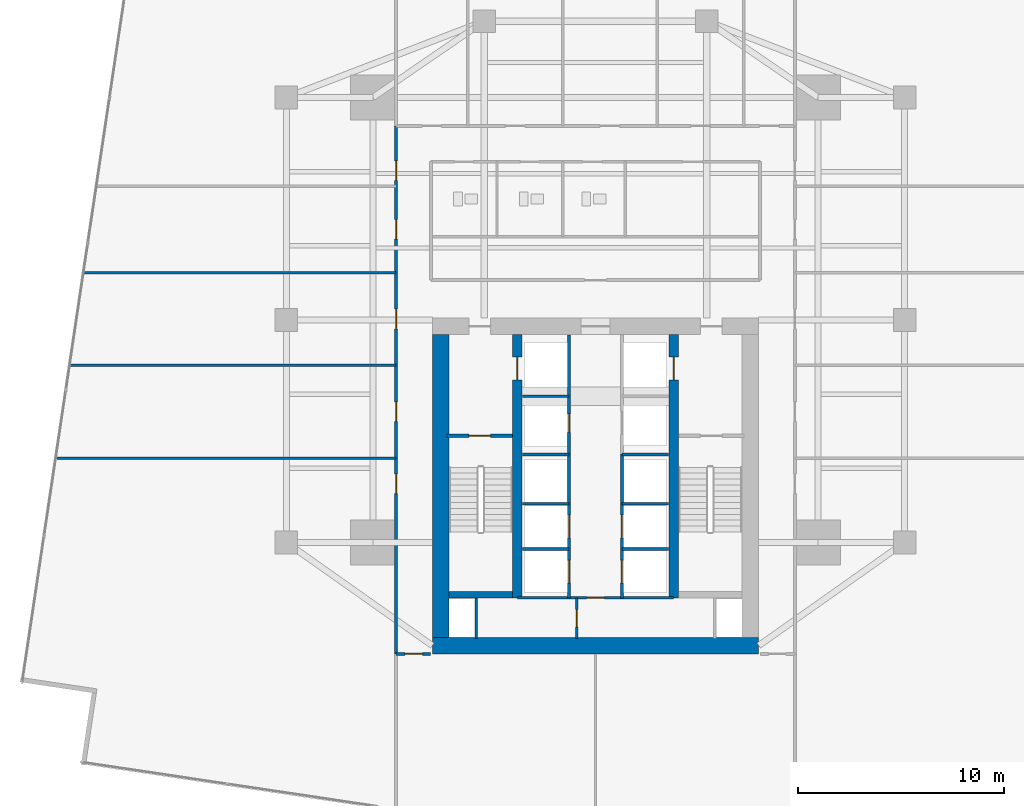
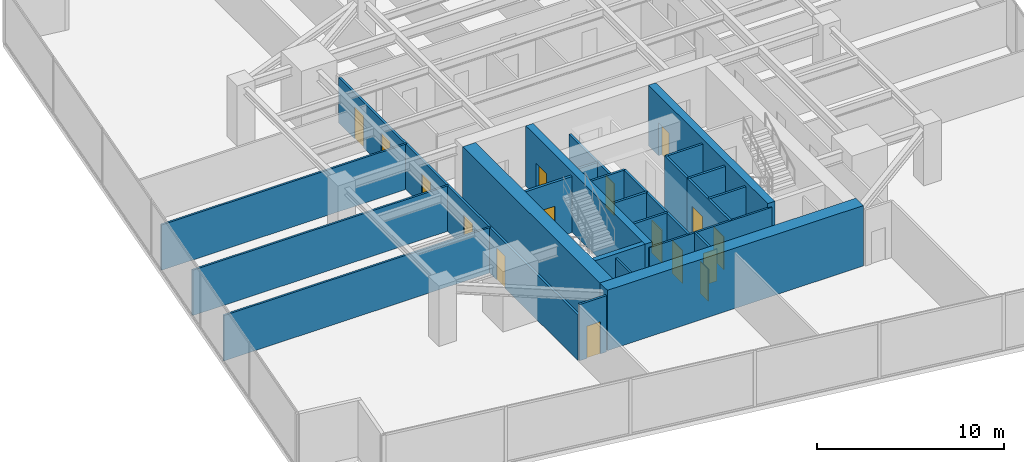
# One storey, part 25 of 29: 26 walls, 16 doors, 16 openings.
"""IFC4 building model written with IfcOpenShell, lengths in metres."""

from ifc_helpers import new_model, si_unit, direction, frame, frame_2d, origin, place, context, subcontext, project, spatial, rectangle, extrude, material, layer, layer_set, type_object, element, fill, save


model = new_model("IFC4")

# Units and contexts
model_context = context("Model", 3, precision=1e-05, world=origin(), true_north=direction((0.0, 1.0)))
body_context = subcontext(model_context, "Body", "Model", "MODEL_VIEW")
ifc_project = project(units=[si_unit("LENGTHUNIT", "METRE"), si_unit("AREAUNIT", "SQUARE_METRE"), si_unit("VOLUMEUNIT", "CUBIC_METRE"), si_unit("PLANEANGLEUNIT", "RADIAN"), si_unit("MASSUNIT", "GRAM", prefix="KILO")], contexts=[model_context])

# Site, building, storey
site_placement = place(None, origin())
site = spatial("IfcSite", under=ifc_project, at=site_placement, CompositionType="ELEMENT")
building_placement = place(site_placement, origin())
building = spatial("IfcBuilding", under=site, at=building_placement, Name="Krantzveldt Concourse Tower", CompositionType="ELEMENT")
storey_placement = place(building_placement, frame((0.0, 0.0, 68.449951171875)))
storey = spatial("IfcBuildingStorey", under=building, at=storey_placement, Name="L16", CompositionType="ELEMENT", Elevation=68.449951171875)

# Wall, opening, door
ifc_material_1 = material(Name="Fire-rated gypsum plasterboard on steel stud", Category="steel")
ifc_layer_1 = layer(ifc_material_1, 0.1201171875, Name="Fire-rated gypsum plasterboard on steel stud", Category="steel")
ifc_layer_set_1 = layer_set([ifc_layer_1], Name="Fire-rated gypsum plasterboard on steel stud (WL-PART-120)")
wall_type_1 = type_object("IfcWallType", Name="WL-PART-120", PredefinedType="PARTITIONING", material=ifc_layer_set_1)
wall_1_placement = place(storey_placement, frame((32.2099609375, 13.219970703125, 0.0), z_axis=(0.0, 0.0, 1.0), x_axis=(1.0, 0.0, 0.0)))
wall_1 = element("IfcWall", 1, at=wall_1_placement, inside=storey, type_object=wall_type_1, Name="WP-L16-CS2H", PredefinedType="PARTITIONING", context=body_context, shape_type="SweptSolid", body=[
    extrude(rectangle(XDim=7.580078125, YDim=0.1201171875, at=frame_2d((3.7900390625, 0.0))), origin(), (0.0, 0.0, 1.0), 3.670166015625),
])
opening_1_placement = place(wall_1_placement, frame((3.364990234375, 0.0, 0.0)))
opening_1 = element("IfcOpeningElement", 2, at=opening_1_placement, cuts=wall_1, Name="Opening D-IN085", PredefinedType="OPENING", context=body_context, shape_type="SweptSolid", body=[
    extrude(rectangle(XDim=0.85009765625, YDim=2.10009765625, at=frame_2d((0.425048828125, 1.050048828125))), frame((0.0, 0.070068359375, 0.0), z_axis=(0.0, -1.0, 0.0), x_axis=(1.0, 0.0, 0.0)), (0.0, 0.0, 1.0), 0.14013671875),
])
ifc_material_2 = material(Name="Hardwood timber", Category="wood")
door_type_1 = type_object("IfcDoorType", Name="DR-INT-850", OperationType="SINGLE_SWING_LEFT", PredefinedType="DOOR", material=ifc_material_2)
door_1_placement = place(opening_1_placement, origin())
door_1 = element("IfcDoor", 3, at=door_1_placement, inside=storey, type_object=door_type_1, Name="DR-L16-LLBS", OperationType="SINGLE_SWING_RIGHT", OverallHeight=2.10009765625, OverallWidth=0.85009765625, PredefinedType="DOOR", context=body_context, shape_type="SweptSolid", body=[
    extrude(rectangle(XDim=0.85009765625, YDim=2.10009765625, at=frame_2d((0.425048828125, 1.050048828125))), frame((0.0, 0.02490234375, 0.0), z_axis=(0.0, -1.0, 0.0), x_axis=(1.0, 0.0, 0.0)), (0.0, 0.0, 1.0), 0.050048828125),
])
fill(opening_1, door_1)

wall_2_placement = place(storey_placement, frame((35.080078125, 11.25, 0.0), z_axis=(0.0, 0.0, 1.0), x_axis=(0.0, 1.0, 0.0)))
wall_2 = element("IfcWall", 4, at=wall_2_placement, inside=storey, type_object=wall_type_1, Name="WP-L16-CSA-V", PredefinedType="PARTITIONING", context=body_context, shape_type="SweptSolid", body=[
    extrude(rectangle(XDim=1.969970703125, YDim=0.1201171875, at=frame_2d((0.98486328125, 0.0))), origin(), (0.0, 0.0, 1.0), 3.670166015625),
])
opening_2_placement = place(wall_2_placement, frame((0.544921875, 0.0, 0.0)))
opening_2 = element("IfcOpeningElement", 5, at=opening_2_placement, cuts=wall_2, Name="Opening D-IN085", PredefinedType="OPENING", context=body_context, shape_type="SweptSolid", body=[
    extrude(rectangle(XDim=0.85009765625, YDim=2.10009765625, at=frame_2d((0.425048828125, 1.050048828125))), frame((0.0, 0.070068359375, 0.0), z_axis=(0.0, -1.0, 0.0), x_axis=(1.0, 0.0, 0.0)), (0.0, 0.0, 1.0), 0.14013671875),
])
door_2_placement = place(opening_2_placement, origin())
door_2 = element("IfcDoor", 6, at=door_2_placement, inside=storey, type_object=door_type_1, Name="DR-L16-CSA1", OperationType="SINGLE_SWING_LEFT", OverallHeight=2.10009765625, OverallWidth=0.85009765625, PredefinedType="DOOR", context=body_context, shape_type="SweptSolid", body=[
    extrude(rectangle(XDim=0.85009765625, YDim=2.10009765625, at=frame_2d((0.425048828125, 1.050048828125))), frame((0.0, 0.02490234375, 0.0), z_axis=(0.0, -1.0, 0.0), x_axis=(1.0, 0.0, 0.0)), (0.0, 0.0, 1.0), 0.050048828125),
])
fill(opening_2, door_2)

# Walls
wall_3_placement = place(storey_placement, frame((9.81201171875, 20.0, 0.0), z_axis=(0.0, 0.0, 1.0), x_axis=(1.0, 0.0, 0.0)))
element("IfcWall", 7, at=wall_3_placement, inside=storey, type_object=wall_type_1, Name="WP-L16-WD1", PredefinedType="PARTITIONING", context=body_context, shape_type="SweptSolid", body=[
    extrude(rectangle(XDim=16.508056640625, YDim=0.1201171875, at=frame_2d((8.25390625, 0.0))), origin(), (0.0, 0.0, 1.0), 2.969970703125),
])
wall_4_placement = place(storey_placement, frame((10.484619140625, 24.5, 0.0), z_axis=(0.0, 0.0, 1.0), x_axis=(1.0, 0.0, 0.0)))
element("IfcWall", 8, at=wall_4_placement, inside=storey, type_object=wall_type_1, Name="WP-L16-WD2", PredefinedType="PARTITIONING", context=body_context, shape_type="SweptSolid", body=[
    extrude(rectangle(XDim=15.83544921875, YDim=0.1201171875, at=frame_2d((7.917724609375, 0.0))), origin(), (0.0, 0.0, 1.0), 2.969970703125),
])
wall_5_placement = place(storey_placement, frame((11.156982421875, 29.0, 0.0), z_axis=(0.0, 0.0, 1.0), x_axis=(1.0, 0.0, 0.0)))
element("IfcWall", 9, at=wall_5_placement, inside=storey, type_object=wall_type_1, Name="WP-L16-WD3", PredefinedType="PARTITIONING", context=body_context, shape_type="SweptSolid", body=[
    extrude(rectangle(XDim=15.1630859375, YDim=0.1201171875, at=frame_2d((7.58154296875, 0.0))), origin(), (0.0, 0.0, 1.0), 2.969970703125),
])

# Wall, openings, doors
ifc_layer_2 = layer(ifc_material_1, 0.139892578125, Name="Fire-rated gypsum plasterboard on steel stud", Category="steel")
ifc_layer_set_2 = layer_set([ifc_layer_2], Name="Fire-rated gypsum plasterboard on steel stud (WL-PART-140)")
wall_type_2 = type_object("IfcWallType", Name="WL-PART-140", PredefinedType="PARTITIONING", material=ifc_layer_set_2)
wall_6_placement = place(storey_placement, frame((26.320068359375, 10.5, 0.0), z_axis=(0.0, 0.0, 1.0), x_axis=(0.0, 1.0, 0.0)))
wall_6 = element("IfcWall", 10, at=wall_6_placement, inside=storey, type_object=wall_type_2, Name="WP-L16-CWEST", PredefinedType="PARTITIONING", context=body_context, shape_type="SweptSolid", body=[
    extrude(rectangle(XDim=25.6201171875, YDim=0.139892578125, at=frame_2d((12.81005859375, 0.0))), origin(), (0.0, 0.0, 1.0), 2.969970703125),
])
opening_3_placement = place(wall_6_placement, frame((7.77490234375, 0.0, 0.0)))
opening_3 = element("IfcOpeningElement", 11, at=opening_3_placement, cuts=wall_6, Name="Opening D-IN095", PredefinedType="OPENING", context=body_context, shape_type="SweptSolid", body=[
    extrude(rectangle(XDim=0.949951171875, YDim=2.10009765625, at=frame_2d((0.47509765625, 1.050048828125))), frame((0.0, 0.080078125, 0.0), z_axis=(0.0, -1.0, 0.0), x_axis=(1.0, 0.0, 0.0)), (0.0, 0.0, 1.0), 0.159912109375),
])
opening_4_placement = place(wall_6_placement, frame((11.27490234375, 0.0, 0.0)))
opening_4 = element("IfcOpeningElement", 12, at=opening_4_placement, cuts=wall_6, Name="Opening D-IN095", PredefinedType="OPENING", context=body_context, shape_type="SweptSolid", body=[
    extrude(rectangle(XDim=0.949951171875, YDim=2.10009765625, at=frame_2d((0.47509765625, 1.050048828125))), frame((0.0, 0.080078125, 0.0), z_axis=(0.0, -1.0, 0.0), x_axis=(1.0, 0.0, 0.0)), (0.0, 0.0, 1.0), 0.159912109375),
])
opening_5_placement = place(wall_6_placement, frame((15.77490234375, 0.0, 0.0)))
opening_5 = element("IfcOpeningElement", 13, at=opening_5_placement, cuts=wall_6, Name="Opening D-IN095", PredefinedType="OPENING", context=body_context, shape_type="SweptSolid", body=[
    extrude(rectangle(XDim=0.949951171875, YDim=2.10009765625, at=frame_2d((0.47509765625, 1.050048828125))), frame((0.0, 0.080078125, 0.0), z_axis=(0.0, -1.0, 0.0), x_axis=(1.0, 0.0, 0.0)), (0.0, 0.0, 1.0), 0.159912109375),
])
opening_6_placement = place(wall_6_placement, frame((20.125, 0.0, 0.0)))
opening_6 = element("IfcOpeningElement", 14, at=opening_6_placement, cuts=wall_6, Name="Opening D-IN095", PredefinedType="OPENING", context=body_context, shape_type="SweptSolid", body=[
    extrude(rectangle(XDim=0.949951171875, YDim=2.10009765625, at=frame_2d((0.47509765625, 1.050048828125))), frame((0.0, 0.080078125, 0.0), z_axis=(0.0, -1.0, 0.0), x_axis=(1.0, 0.0, 0.0)), (0.0, 0.0, 1.0), 0.159912109375),
])
opening_7_placement = place(wall_6_placement, frame((22.97509765625, 0.0, 0.0)))
opening_7 = element("IfcOpeningElement", 15, at=opening_7_placement, cuts=wall_6, Name="Opening D-IN095", PredefinedType="OPENING", context=body_context, shape_type="SweptSolid", body=[
    extrude(rectangle(XDim=0.949951171875, YDim=2.10009765625, at=frame_2d((0.47509765625, 1.050048828125))), frame((0.0, 0.080078125, 0.0), z_axis=(0.0, -1.0, 0.0), x_axis=(1.0, 0.0, 0.0)), (0.0, 0.0, 1.0), 0.159912109375),
])
door_type_2 = type_object("IfcDoorType", Name="DR-INT-950", OperationType="SINGLE_SWING_LEFT", PredefinedType="DOOR", material=ifc_material_2)
door_3_placement = place(opening_3_placement, origin())
door_3 = element("IfcDoor", 16, at=door_3_placement, inside=storey, type_object=door_type_2, Name="DR-L16-WR1", OperationType="SINGLE_SWING_LEFT", OverallHeight=2.10009765625, OverallWidth=0.949951171875, PredefinedType="DOOR", context=body_context, shape_type="SweptSolid", body=[
    extrude(rectangle(XDim=0.949951171875, YDim=2.10009765625, at=frame_2d((0.47509765625, 1.050048828125))), frame((0.0, 0.02490234375, 0.0), z_axis=(0.0, -1.0, 0.0), x_axis=(1.0, 0.0, 0.0)), (0.0, 0.0, 1.0), 0.050048828125),
])
fill(opening_3, door_3)
door_4_placement = place(opening_4_placement, origin())
door_4 = element("IfcDoor", 17, at=door_4_placement, inside=storey, type_object=door_type_2, Name="DR-L16-WR2", OperationType="SINGLE_SWING_LEFT", OverallHeight=2.10009765625, OverallWidth=0.949951171875, PredefinedType="DOOR", context=body_context, shape_type="SweptSolid", body=[
    extrude(rectangle(XDim=0.949951171875, YDim=2.10009765625, at=frame_2d((0.47509765625, 1.050048828125))), frame((0.0, 0.02490234375, 0.0), z_axis=(0.0, -1.0, 0.0), x_axis=(1.0, 0.0, 0.0)), (0.0, 0.0, 1.0), 0.050048828125),
])
fill(opening_4, door_4)
door_5_placement = place(opening_5_placement, origin())
door_5 = element("IfcDoor", 18, at=door_5_placement, inside=storey, type_object=door_type_2, Name="DR-L16-WR3", OperationType="SINGLE_SWING_LEFT", OverallHeight=2.10009765625, OverallWidth=0.949951171875, PredefinedType="DOOR", context=body_context, shape_type="SweptSolid", body=[
    extrude(rectangle(XDim=0.949951171875, YDim=2.10009765625, at=frame_2d((0.47509765625, 1.050048828125))), frame((0.0, 0.02490234375, 0.0), z_axis=(0.0, -1.0, 0.0), x_axis=(1.0, 0.0, 0.0)), (0.0, 0.0, 1.0), 0.050048828125),
])
fill(opening_5, door_5)
door_6_placement = place(opening_6_placement, origin())
door_6 = element("IfcDoor", 19, at=door_6_placement, inside=storey, type_object=door_type_2, Name="DR-L16-WR4", OperationType="SINGLE_SWING_LEFT", OverallHeight=2.10009765625, OverallWidth=0.949951171875, PredefinedType="DOOR", context=body_context, shape_type="SweptSolid", body=[
    extrude(rectangle(XDim=0.949951171875, YDim=2.10009765625, at=frame_2d((0.47509765625, 1.050048828125))), frame((0.0, 0.02490234375, 0.0), z_axis=(0.0, -1.0, 0.0), x_axis=(1.0, 0.0, 0.0)), (0.0, 0.0, 1.0), 0.050048828125),
])
fill(opening_6, door_6)
door_7_placement = place(opening_7_placement, origin())
door_7 = element("IfcDoor", 20, at=door_7_placement, inside=storey, type_object=door_type_2, Name="DR-L16-WR5", OperationType="SINGLE_SWING_LEFT", OverallHeight=2.10009765625, OverallWidth=0.949951171875, PredefinedType="DOOR", context=body_context, shape_type="SweptSolid", body=[
    extrude(rectangle(XDim=0.949951171875, YDim=2.10009765625, at=frame_2d((0.47509765625, 1.050048828125))), frame((0.0, 0.02490234375, 0.0), z_axis=(0.0, -1.0, 0.0), x_axis=(1.0, 0.0, 0.0)), (0.0, 0.0, 1.0), 0.050048828125),
])
fill(opening_7, door_7)

# Wall, opening, door
wall_7_placement = place(storey_placement, frame((26.320068359375, 10.5, 0.0), z_axis=(0.0, 0.0, 1.0), x_axis=(1.0, 0.0, 0.0)))
wall_7 = element("IfcWall", 21, at=wall_7_placement, inside=storey, type_object=wall_type_2, Name="WP-L16-CWBOT", PredefinedType="PARTITIONING", context=body_context, shape_type="SweptSolid", body=[
    extrude(rectangle(XDim=1.679931640625, YDim=0.139892578125, at=frame_2d((0.83984375, 0.0))), origin(), (0.0, 0.0, 1.0), 3.670166015625),
])
opening_8_placement = place(wall_7_placement, frame((0.445068359375, 0.0, 0.0)))
opening_8 = element("IfcOpeningElement", 22, at=opening_8_placement, cuts=wall_7, Name="Opening D-IN085", PredefinedType="OPENING", context=body_context, shape_type="SweptSolid", body=[
    extrude(rectangle(XDim=0.85009765625, YDim=2.10009765625, at=frame_2d((0.425048828125, 1.050048828125))), frame((0.0, 0.080078125, 0.0), z_axis=(0.0, -1.0, 0.0), x_axis=(1.0, 0.0, 0.0)), (0.0, 0.0, 1.0), 0.159912109375),
])
door_8_placement = place(opening_8_placement, origin())
door_8 = element("IfcDoor", 23, at=door_8_placement, inside=storey, type_object=door_type_1, Name="DR-L16-SR1", OperationType="SINGLE_SWING_LEFT", OverallHeight=2.10009765625, OverallWidth=0.85009765625, PredefinedType="DOOR", context=body_context, shape_type="SweptSolid", body=[
    extrude(rectangle(XDim=0.85009765625, YDim=2.10009765625, at=frame_2d((0.425048828125, 1.050048828125))), frame((0.0, 0.02490234375, 0.0), z_axis=(0.0, -1.0, 0.0), x_axis=(1.0, 0.0, 0.0)), (0.0, 0.0, 1.0), 0.050048828125),
])
fill(opening_8, door_8)

ifc_layer_3 = layer(ifc_material_1, 0.139892578125, Name="Fire-rated gypsum plasterboard on steel stud", Category="steel")
ifc_layer_set_3 = layer_set([ifc_layer_3], Name="Fire-rated gypsum plasterboard on steel stud (WL-PART-FR140)")
wall_type_3 = type_object("IfcWallType", Name="WL-PART-FR140", PredefinedType="PARTITIONING", material=ifc_layer_set_3)
wall_8_placement = place(storey_placement, frame((34.719970703125, 20.199951171875, 0.0), z_axis=(0.0, 0.0, 1.0), x_axis=(0.0, 1.0, 0.0)))
wall_8 = element("IfcWall", 24, at=wall_8_placement, inside=storey, type_object=wall_type_3, Name="WP-L16-SHNW", PredefinedType="PARTITIONING", context=body_context, shape_type="SweptSolid", body=[
    extrude(rectangle(XDim=5.780029296875, YDim=0.139892578125, at=frame_2d((2.89013671875, 0.0))), origin(), (0.0, 0.0, 1.0), 2.469970703125),
])
opening_9_placement = place(wall_8_placement, frame((1.050048828125, 0.0, 0.0)))
opening_9 = element("IfcOpeningElement", 25, at=opening_9_placement, cuts=wall_8, Name="Opening D-FD090", PredefinedType="OPENING", context=body_context, shape_type="SweptSolid", body=[
    extrude(rectangle(XDim=0.89990234375, YDim=2.10009765625, at=frame_2d((0.449951171875, 1.050048828125))), frame((0.0, 0.080078125, 0.0), z_axis=(0.0, -1.0, 0.0), x_axis=(1.0, 0.0, 0.0)), (0.0, 0.0, 1.0), 0.159912109375),
])
door_type_3 = type_object("IfcDoorType", Name="DR-FD60-900", OperationType="SINGLE_SWING_LEFT", PredefinedType="DOOR", material=ifc_material_2)
door_9_placement = place(opening_9_placement, origin())
door_9 = element("IfcDoor", 26, at=door_9_placement, inside=storey, type_object=door_type_3, Name="Electrical Riser Access Door L16", OperationType="SINGLE_SWING_LEFT", OverallHeight=2.10009765625, OverallWidth=0.89990234375, PredefinedType="DOOR", context=body_context, shape_type="SweptSolid", body=[
    extrude(rectangle(XDim=0.89990234375, YDim=2.10009765625, at=frame_2d((0.449951171875, 1.050048828125))), frame((0.0, 0.02490234375, 0.0), z_axis=(0.0, -1.0, 0.0), x_axis=(1.0, 0.0, 0.0)), (0.0, 0.0, 1.0), 0.050048828125),
])
fill(opening_9, door_9)

# Walls
wall_9_placement = place(storey_placement, frame((32.449951171875, 23.0, 0.0), z_axis=(0.0, 0.0, 1.0), x_axis=(1.0, 0.0, 0.0)))
element("IfcWall", 27, at=wall_9_placement, inside=storey, type_object=wall_type_3, Name="WP-L16-RISH", PredefinedType="PARTITIONING", context=body_context, shape_type="SweptSolid", body=[
    extrude(rectangle(XDim=2.27001953125, YDim=0.139892578125, at=frame_2d((1.135009765625, 0.0))), origin(), (0.0, 0.0, 1.0), 2.469970703125),
])
for number, where, z_axis, x_axis, name in (
    (28, (34.719970703125, 17.780029296875, 0.0), (0.0, 0.0, 1.0), (0.0, 1.0, 0.0), "WP-L16-SHNW2"),
    (29, (37.280029296875, 17.780029296875, 0.0), (0.0, 0.0, 1.0), (0.0, 1.0, 0.0), "WP-L16-SHNE2"),
):
    element("IfcWall", number, at=place(storey_placement, frame(where, z_axis=z_axis, x_axis=x_axis)), inside=storey, type_object=wall_type_3, Name=name, PredefinedType="PARTITIONING", context=body_context, shape_type="SweptSolid", body=[
        extrude(rectangle(XDim=2.419921875, YDim=0.139892578125, at=frame_2d((1.2099609375, 0.0))), origin(), (0.0, 0.0, 1.0), 3.670166015625),
    ])
for number, where, z_axis, x_axis, name in (
    (30, (32.449951171875, 17.780029296875, 0.0), (0.0, 0.0, 1.0), (1.0, 0.0, 0.0), "WP-L16-DIVW2"),
    (31, (32.449951171875, 20.179931640625, 0.0), (0.0, 0.0, 1.0), (1.0, 0.0, 0.0), "WP-L16-DIVW3"),
    (32, (37.280029296875, 17.780029296875, 0.0), (0.0, 0.0, 1.0), (1.0, 0.0, 0.0), "WP-L16-DIVE2"),
    (33, (37.280029296875, 20.179931640625, 0.0), (0.0, 0.0, 1.0), (1.0, 0.0, 0.0), "WP-L16-DIVE3"),
):
    element("IfcWall", number, at=place(storey_placement, frame(where, z_axis=z_axis, x_axis=x_axis)), inside=storey, type_object=wall_type_3, Name=name, PredefinedType="PARTITIONING", context=body_context, shape_type="SweptSolid", body=[
        extrude(rectangle(XDim=2.27001953125, YDim=0.139892578125, at=frame_2d((1.135009765625, 0.0))), origin(), (0.0, 0.0, 1.0), 3.670166015625),
    ])

# Wall, openings, doors
wall_10_placement = place(storey_placement, frame((34.719970703125, 13.219970703125, 0.0), z_axis=(0.0, 0.0, 1.0), x_axis=(0.0, 1.0, 0.0)))
wall_10 = element("IfcWall", 34, at=wall_10_placement, inside=storey, type_object=wall_type_3, Name="WP-L16-SHSW", PredefinedType="PARTITIONING", context=body_context, shape_type="SweptSolid", body=[
    extrude(rectangle(XDim=4.56005859375, YDim=0.139892578125, at=frame_2d((2.280029296875, 0.0))), origin(), (0.0, 0.0, 1.0), 3.670166015625),
])
opening_10_placement = place(wall_10_placement, frame((0.7099609375, 0.0, 0.0)))
opening_10 = element("IfcOpeningElement", 35, at=opening_10_placement, cuts=wall_10, Name="Opening LD", PredefinedType="OPENING", context=body_context, shape_type="SweptSolid", body=[
    extrude(rectangle(XDim=1.10009765625, YDim=2.14990234375, at=frame_2d((0.550048828125, 1.074951171875))), frame((0.0, 0.080078125, 0.0), z_axis=(0.0, -1.0, 0.0), x_axis=(1.0, 0.0, 0.0)), (0.0, 0.0, 1.0), 0.159912109375),
])
opening_11_placement = place(wall_10_placement, frame((2.909912109375, 0.0, 0.0)))
opening_11 = element("IfcOpeningElement", 36, at=opening_11_placement, cuts=wall_10, Name="Opening LD", PredefinedType="OPENING", context=body_context, shape_type="SweptSolid", body=[
    extrude(rectangle(XDim=1.10009765625, YDim=2.14990234375, at=frame_2d((0.550048828125, 1.074951171875))), frame((0.0, 0.080078125, 0.0), z_axis=(0.0, -1.0, 0.0), x_axis=(1.0, 0.0, 0.0)), (0.0, 0.0, 1.0), 0.159912109375),
])
ifc_material_3 = material(Name="Stainless steel 316L", Category="steel")
door_type_4 = type_object("IfcDoorType", Name="DR-SLIDE-LD1100", OperationType="DOUBLE_DOOR_SLIDING", PredefinedType="DOOR", material=ifc_material_3)
door_10_placement = place(opening_10_placement, origin())
door_10 = element("IfcDoor", 37, at=door_10_placement, inside=storey, type_object=door_type_4, Name="LD-L16-PL1", OperationType="DOUBLE_DOOR_SLIDING", OverallHeight=2.14990234375, OverallWidth=1.10009765625, PredefinedType="DOOR", context=body_context, shape_type="SweptSolid", body=[
    extrude(rectangle(XDim=1.10009765625, YDim=2.14990234375, at=frame_2d((0.550048828125, 1.074951171875))), frame((0.0, 0.02490234375, 0.0), z_axis=(0.0, -1.0, 0.0), x_axis=(1.0, 0.0, 0.0)), (0.0, 0.0, 1.0), 0.050048828125),
])
fill(opening_10, door_10)
door_11_placement = place(opening_11_placement, origin())
door_11 = element("IfcDoor", 38, at=door_11_placement, inside=storey, type_object=door_type_4, Name="LD-L16-PL2", OperationType="DOUBLE_DOOR_SLIDING", OverallHeight=2.14990234375, OverallWidth=1.10009765625, PredefinedType="DOOR", context=body_context, shape_type="SweptSolid", body=[
    extrude(rectangle(XDim=1.10009765625, YDim=2.14990234375, at=frame_2d((0.550048828125, 1.074951171875))), frame((0.0, 0.02490234375, 0.0), z_axis=(0.0, -1.0, 0.0), x_axis=(1.0, 0.0, 0.0)), (0.0, 0.0, 1.0), 0.050048828125),
])
fill(opening_11, door_11)

# Wall
wall_11_placement = place(storey_placement, frame((32.449951171875, 15.580078125, 0.0), z_axis=(0.0, 0.0, 1.0), x_axis=(1.0, 0.0, 0.0)))
element("IfcWall", 39, at=wall_11_placement, inside=storey, type_object=wall_type_3, Name="WP-L16-DIVW1", PredefinedType="PARTITIONING", context=body_context, shape_type="SweptSolid", body=[
    extrude(rectangle(XDim=2.27001953125, YDim=0.139892578125, at=frame_2d((1.135009765625, 0.0))), origin(), (0.0, 0.0, 1.0), 3.670166015625),
])

# Wall, openings, doors
wall_12_placement = place(storey_placement, frame((37.280029296875, 13.219970703125, 0.0), z_axis=(0.0, 0.0, 1.0), x_axis=(0.0, 1.0, 0.0)))
wall_12 = element("IfcWall", 40, at=wall_12_placement, inside=storey, type_object=wall_type_3, Name="WP-L16-SHSE", PredefinedType="PARTITIONING", context=body_context, shape_type="SweptSolid", body=[
    extrude(rectangle(XDim=4.56005859375, YDim=0.139892578125, at=frame_2d((2.280029296875, 0.0))), origin(), (0.0, 0.0, 1.0), 3.670166015625),
])
opening_12_placement = place(wall_12_placement, frame((0.7099609375, 0.0, 0.0)))
opening_12 = element("IfcOpeningElement", 41, at=opening_12_placement, cuts=wall_12, Name="Opening LD", PredefinedType="OPENING", context=body_context, shape_type="SweptSolid", body=[
    extrude(rectangle(XDim=1.10009765625, YDim=2.14990234375, at=frame_2d((0.550048828125, 1.074951171875))), frame((0.0, 0.080078125, 0.0), z_axis=(0.0, -1.0, 0.0), x_axis=(1.0, 0.0, 0.0)), (0.0, 0.0, 1.0), 0.159912109375),
])
opening_13_placement = place(wall_12_placement, frame((2.909912109375, 0.0, 0.0)))
opening_13 = element("IfcOpeningElement", 42, at=opening_13_placement, cuts=wall_12, Name="Opening LD", PredefinedType="OPENING", context=body_context, shape_type="SweptSolid", body=[
    extrude(rectangle(XDim=1.10009765625, YDim=2.14990234375, at=frame_2d((0.550048828125, 1.074951171875))), frame((0.0, 0.080078125, 0.0), z_axis=(0.0, -1.0, 0.0), x_axis=(1.0, 0.0, 0.0)), (0.0, 0.0, 1.0), 0.159912109375),
])
door_12_placement = place(opening_12_placement, origin())
door_12 = element("IfcDoor", 43, at=door_12_placement, inside=storey, type_object=door_type_4, Name="LD-L16-PM1", OperationType="DOUBLE_DOOR_SLIDING", OverallHeight=2.14990234375, OverallWidth=1.10009765625, PredefinedType="DOOR", context=body_context, shape_type="SweptSolid", body=[
    extrude(rectangle(XDim=1.10009765625, YDim=2.14990234375, at=frame_2d((0.550048828125, 1.074951171875))), frame((0.0, 0.02490234375, 0.0), z_axis=(0.0, -1.0, 0.0), x_axis=(1.0, 0.0, 0.0)), (0.0, 0.0, 1.0), 0.050048828125),
])
fill(opening_12, door_12)
door_13_placement = place(opening_13_placement, origin())
door_13 = element("IfcDoor", 44, at=door_13_placement, inside=storey, type_object=door_type_4, Name="LD-L16-PM2", OperationType="DOUBLE_DOOR_SLIDING", OverallHeight=2.14990234375, OverallWidth=1.10009765625, PredefinedType="DOOR", context=body_context, shape_type="SweptSolid", body=[
    extrude(rectangle(XDim=1.10009765625, YDim=2.14990234375, at=frame_2d((0.550048828125, 1.074951171875))), frame((0.0, 0.02490234375, 0.0), z_axis=(0.0, -1.0, 0.0), x_axis=(1.0, 0.0, 0.0)), (0.0, 0.0, 1.0), 0.050048828125),
])
fill(opening_13, door_13)

# Walls
wall_13_placement = place(storey_placement, frame((37.280029296875, 15.580078125, 0.0), z_axis=(0.0, 0.0, 1.0), x_axis=(1.0, 0.0, 0.0)))
element("IfcWall", 45, at=wall_13_placement, inside=storey, type_object=wall_type_3, Name="WP-L16-DIVE1", PredefinedType="PARTITIONING", context=body_context, shape_type="SweptSolid", body=[
    extrude(rectangle(XDim=2.27001953125, YDim=0.139892578125, at=frame_2d((1.135009765625, 0.0))), origin(), (0.0, 0.0, 1.0), 3.670166015625),
])
wall_14_placement = place(storey_placement, frame((30.219970703125, 11.25, 0.0), z_axis=(0.0, 0.0, 1.0), x_axis=(0.0, 1.0, 0.0)))
element("IfcWall", 46, at=wall_14_placement, inside=storey, type_object=wall_type_3, Name="WP-L16-RSW", PredefinedType="PARTITIONING", context=body_context, shape_type="SweptSolid", body=[
    extrude(rectangle(XDim=1.969970703125, YDim=0.1201171875, at=frame_2d((0.98486328125, 0.0))), origin(), (0.0, 0.0, 1.0), 3.670166015625),
])

# Wall, opening, door
ifc_layer_4 = layer(ifc_material_1, 0.159912109375, Name="Fire-rated gypsum plasterboard on steel stud", Category="steel")
ifc_layer_set_4 = layer_set([ifc_layer_4], Name="Fire-rated gypsum plasterboard on steel stud (WL-PART-FR160)")
wall_type_4 = type_object("IfcWallType", Name="WL-PART-FR160", PredefinedType="PARTITIONING", material=ifc_layer_set_4)
wall_15_placement = place(storey_placement, frame((28.800048828125, 21.080078125, 0.0), z_axis=(0.0, 0.0, 1.0), x_axis=(1.0, 0.0, 0.0)))
wall_15 = element("IfcWall", 47, at=wall_15_placement, inside=storey, type_object=wall_type_4, Name="WP-L16-ST1", PredefinedType="PARTITIONING", context=body_context, shape_type="SweptSolid", body=[
    extrude(rectangle(XDim=3.159912109375, YDim=0.159912109375, at=frame_2d((1.580078125, 0.0))), origin(), (0.0, 0.0, 1.0), 3.670166015625),
])
opening_14_placement = place(wall_15_placement, frame((1.054931640625, 0.0, 0.0)))
opening_14 = element("IfcOpeningElement", 48, at=opening_14_placement, cuts=wall_15, Name="Opening D-FD105", PredefinedType="OPENING", context=body_context, shape_type="SweptSolid", body=[
    extrude(rectangle(XDim=1.050048828125, YDim=2.10009765625, at=frame_2d((0.52490234375, 1.050048828125))), frame((0.0, 0.08984375, 0.0), z_axis=(0.0, -1.0, 0.0), x_axis=(1.0, 0.0, 0.0)), (0.0, 0.0, 1.0), 0.179931640625),
])
ifc_material_4 = material(Name="Galvanised steel", Category="steel")
door_type_5 = type_object("IfcDoorType", Name="DR-FD120-1050", OperationType="SINGLE_SWING_LEFT", PredefinedType="DOOR", material=ifc_material_4)
door_14_placement = place(opening_14_placement, origin())
door_14 = element("IfcDoor", 49, at=door_14_placement, inside=storey, type_object=door_type_5, Name="DR-L16-ST1", OperationType="SINGLE_SWING_RIGHT", OverallHeight=2.10009765625, OverallWidth=1.050048828125, PredefinedType="DOOR", context=body_context, shape_type="SweptSolid", body=[
    extrude(rectangle(XDim=1.050048828125, YDim=2.10009765625, at=frame_2d((0.52490234375, 1.050048828125))), frame((0.0, 0.02490234375, 0.0), z_axis=(0.0, -1.0, 0.0), x_axis=(1.0, 0.0, 0.0)), (0.0, 0.0, 1.0), 0.050048828125),
])
fill(opening_14, door_14)

# Wall
ifc_material_5 = material(Name="Concrete C50/60", Category="concrete")
ifc_layer_5 = layer(ifc_material_5, 0.300048828125, Name="Concrete C50/60", Category="concrete")
ifc_layer_set_5 = layer_set([ifc_layer_5], Name="Concrete C50/60 (WL-SHEAR-300)")
wall_type_5 = type_object("IfcWallType", Name="WL-SHEAR-300", PredefinedType="SHEAR", material=ifc_layer_set_5)
wall_16_placement = place(storey_placement, frame((28.8798828125, 13.3701171875, 0.0), z_axis=(0.0, 0.0, 1.0), x_axis=(1.0, 0.0, 0.0)))
element("IfcWall", 50, at=wall_16_placement, inside=storey, type_object=wall_type_5, Name="CW-L16-ST1S", PredefinedType="SHEAR", context=body_context, shape_type="SweptSolid", body=[
    extrude(rectangle(XDim=3.10009765625, YDim=0.300048828125, at=frame_2d((1.550048828125, 0.0))), origin(), (0.0, 0.0, 1.0), 3.949951171875),
])

# Wall, opening, door
ifc_layer_6 = layer(ifc_material_5, 0.449951171875, Name="Concrete C50/60", Category="concrete")
ifc_layer_set_6 = layer_set([ifc_layer_6], Name="Concrete C50/60 (WL-SHEAR-450)")
wall_type_6 = type_object("IfcWallType", Name="WL-SHEAR-450", PredefinedType="SHEAR", material=ifc_layer_set_6)
wall_17_placement = place(storey_placement, frame((32.205078125, 13.219970703125, 0.0), z_axis=(0.0, 0.0, 1.0), x_axis=(0.0, 1.0, 0.0)))
wall_17 = element("IfcWall", 51, at=wall_17_placement, inside=storey, type_object=wall_type_6, Name="CW-L16-IW", PredefinedType="SHEAR", context=body_context, shape_type="SweptSolid", body=[
    extrude(rectangle(XDim=12.780029296875, YDim=0.449951171875, at=frame_2d((6.39013671875, 0.0))), origin(), (0.0, 0.0, 1.0), 3.949951171875),
])
opening_15_placement = place(wall_17_placement, frame((10.580078125, 0.0, 0.0)))
opening_15 = element("IfcOpeningElement", 52, at=opening_15_placement, cuts=wall_17, Name="Opening LD", PredefinedType="OPENING", context=body_context, shape_type="SweptSolid", body=[
    extrude(rectangle(XDim=1.10009765625, YDim=2.14990234375, at=frame_2d((0.550048828125, 1.074951171875))), frame((0.0, 0.23486328125, 0.0), z_axis=(0.0, -1.0, 0.0), x_axis=(1.0, 0.0, 0.0)), (0.0, 0.0, 1.0), 0.469970703125),
])
door_15_placement = place(opening_15_placement, origin())
door_15 = element("IfcDoor", 53, at=door_15_placement, inside=storey, type_object=door_type_4, Name="LD-L16-FL1", OperationType="DOUBLE_DOOR_SLIDING", OverallHeight=2.14990234375, OverallWidth=1.10009765625, PredefinedType="DOOR", context=body_context, shape_type="SweptSolid", body=[
    extrude(rectangle(XDim=1.10009765625, YDim=2.14990234375, at=frame_2d((0.550048828125, 1.074951171875))), frame((0.0, 0.02490234375, 0.0), z_axis=(0.0, -1.0, 0.0), x_axis=(1.0, 0.0, 0.0)), (0.0, 0.0, 1.0), 0.050048828125),
])
fill(opening_15, door_15)

wall_18_placement = place(storey_placement, frame((39.794921875, 13.219970703125, 0.0), z_axis=(0.0, 0.0, 1.0), x_axis=(0.0, 1.0, 0.0)))
wall_18 = element("IfcWall", 54, at=wall_18_placement, inside=storey, type_object=wall_type_6, Name="CW-L16-IE", PredefinedType="SHEAR", context=body_context, shape_type="SweptSolid", body=[
    extrude(rectangle(XDim=12.780029296875, YDim=0.449951171875, at=frame_2d((6.39013671875, 0.0))), origin(), (0.0, 0.0, 1.0), 3.949951171875),
])
opening_16_placement = place(wall_18_placement, frame((10.580078125, 0.0, 0.0)))
opening_16 = element("IfcOpeningElement", 55, at=opening_16_placement, cuts=wall_18, Name="Opening LD", PredefinedType="OPENING", context=body_context, shape_type="SweptSolid", body=[
    extrude(rectangle(XDim=1.10009765625, YDim=2.14990234375, at=frame_2d((0.550048828125, 1.074951171875))), frame((0.0, 0.23486328125, 0.0), z_axis=(0.0, -1.0, 0.0), x_axis=(1.0, 0.0, 0.0)), (0.0, 0.0, 1.0), 0.469970703125),
])
door_16_placement = place(opening_16_placement, origin())
door_16 = element("IfcDoor", 56, at=door_16_placement, inside=storey, type_object=door_type_4, Name="LD-L16-FL2", OperationType="DOUBLE_DOOR_SLIDING", OverallHeight=2.14990234375, OverallWidth=1.10009765625, PredefinedType="DOOR", context=body_context, shape_type="SweptSolid", body=[
    extrude(rectangle(XDim=1.10009765625, YDim=2.14990234375, at=frame_2d((0.550048828125, 1.074951171875))), frame((0.0, 0.02490234375, 0.0), z_axis=(0.0, -1.0, 0.0), x_axis=(1.0, 0.0, 0.0)), (0.0, 0.0, 1.0), 0.050048828125),
])
fill(opening_16, door_16)

# Walls
ifc_material_6 = material(Name="Concrete C60/75", Category="concrete")
ifc_layer_7 = layer(ifc_material_6, 0.800048828125, Name="Concrete C60/75", Category="concrete")
ifc_layer_set_7 = layer_set([ifc_layer_7], Name="Concrete C60/75 (WL-SHEAR-800)")
wall_type_7 = type_object("IfcWallType", Name="WL-SHEAR-800", PredefinedType="SHEAR", material=ifc_layer_set_7)
wall_19_placement = place(storey_placement, frame((28.080078125, 10.89990234375, 0.0), z_axis=(0.0, 0.0, 1.0), x_axis=(1.0, 0.0, 0.0)))
element("IfcWall", 57, at=wall_19_placement, inside=storey, type_object=wall_type_7, Name="CW-L16-S", PredefinedType="SHEAR", context=body_context, shape_type="SweptSolid", body=[
    extrude(rectangle(XDim=15.83984375, YDim=0.800048828125, at=frame_2d((7.919921875, 0.0))), origin(), (0.0, 0.0, 1.0), 3.949951171875),
])
wall_20_placement = place(storey_placement, frame((28.47998046875, 11.300048828125, 0.0), z_axis=(0.0, 0.0, 1.0), x_axis=(0.0, 1.0, 0.0)))
element("IfcWall", 58, at=wall_20_placement, inside=storey, type_object=wall_type_7, Name="CW-L16-W", PredefinedType="SHEAR", context=body_context, shape_type="SweptSolid", body=[
    extrude(rectangle(XDim=14.699951171875, YDim=0.800048828125, at=frame_2d((7.35009765625, 0.0))), origin(), (0.0, 0.0, 1.0), 3.949951171875),
])

save(model, "model.ifc")
